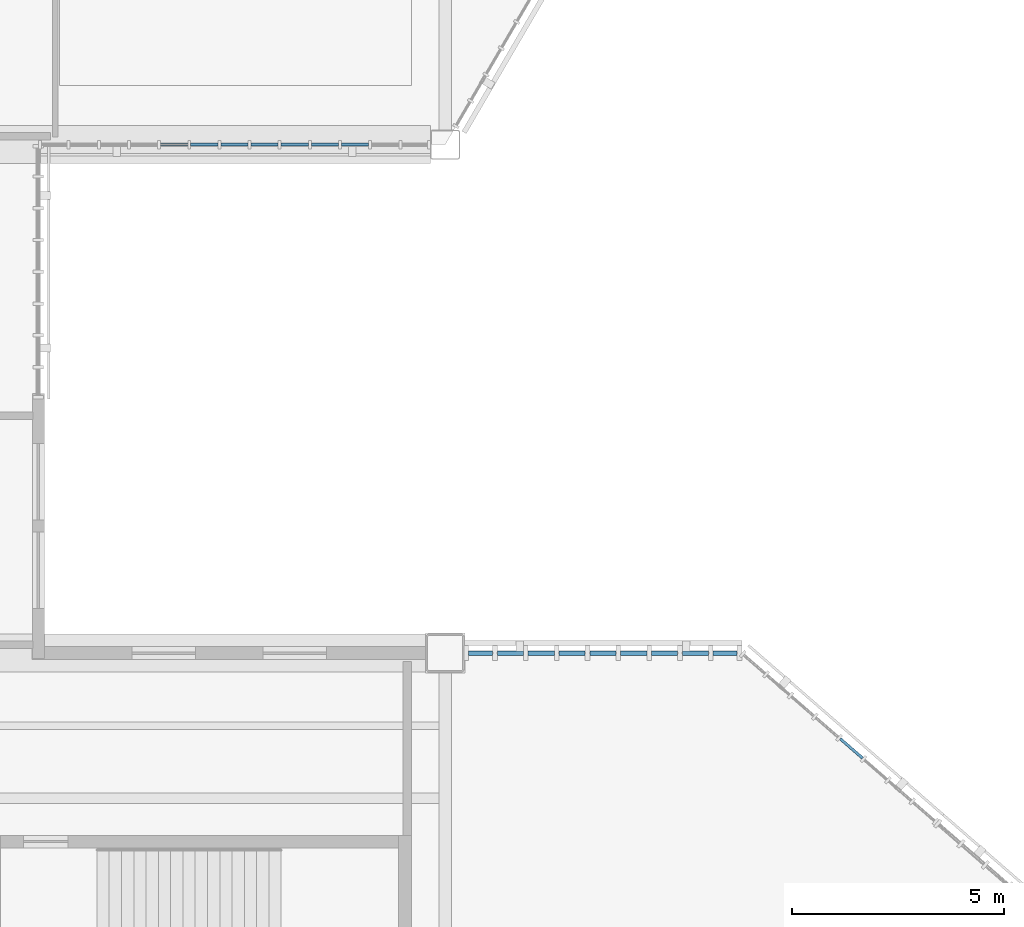
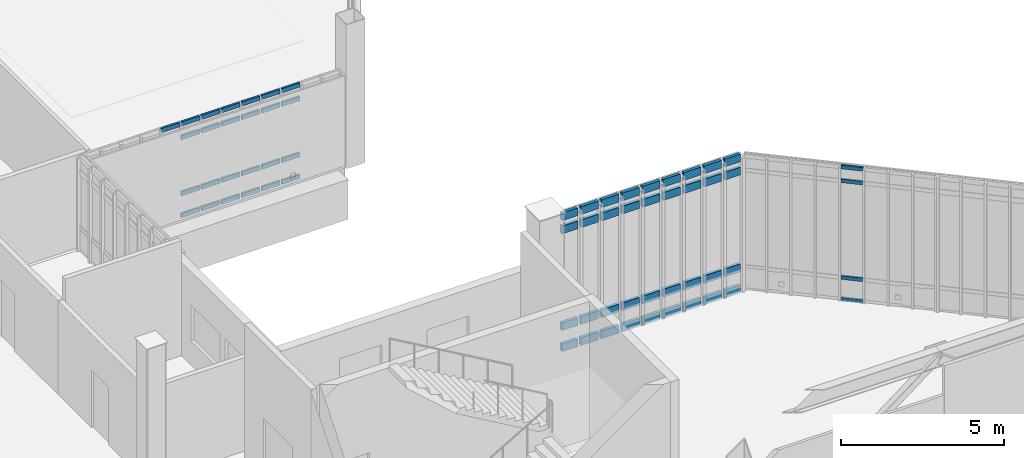
# One storey, part 66 of 135: 65 members, 3 elements without a shape of their own.
"""IFC4 building model written with IfcOpenShell, lengths in metres."""

import ifcopenshell
import ifcopenshell.guid

model = None  # the IFC model being written
_history = None  # IfcOwnerHistory: only IFC2X3 demands one
_inside = {}  # id of a spatial element -> (the spatial element, [elements in it])
_under = {}  # id of a project, library or spatial element -> (it, [spatial elements below it])
_declared = {}  # id of a project -> (the project, [libraries it declares])
_typed = {}  # id of a type object -> (the type object, [elements of that type])
_made_of = {}  # id of a material, layer set ... -> (it, [elements and type objects made of it])


def new_model(schema):
    """Start an empty IFC model of exactly this schema.

    Asked for "IFC4X3", IfcOpenShell would pick the latest addendum, in which some entities
    have other attributes; the version numbers below select the first issue.
    IFC2X3 requires an IfcOwnerHistory on every rooted entity: one is made here for all.
    """
    global model, _history
    if schema == "IFC4X3":
        model = ifcopenshell.file(schema_version=(4, 3, 0, 0))
    else:
        model = ifcopenshell.file(schema=schema)
    _inside.clear()
    _under.clear()
    _declared.clear()
    _typed.clear()
    _made_of.clear()
    _history = None
    if model.schema == "IFC2X3":
        org = make("IfcOrganization", Name="unknown")
        user = make(
            "IfcPersonAndOrganization",
            ThePerson=make("IfcPerson", FamilyName="unknown"),
            TheOrganization=org,
        )
        app = make(
            "IfcApplication",
            ApplicationDeveloper=org,
            Version="unknown",
            ApplicationFullName="unknown",
            ApplicationIdentifier="unknown",
        )
        _history = make(
            "IfcOwnerHistory",
            OwningUser=user,
            OwningApplication=app,
            ChangeAction="ADDED",
            CreationDate=0,
        )
    return model


def make(cls, **values):
    """One entity of the class cls with the attributes given. An attribute that is None is left unset."""
    return model.create_entity(
        cls, **{name: value for name, value in values.items() if value is not None}
    )


def rooted(cls, **values):
    """An entity with a GlobalId (a new one), such as an element, a storey or a relation."""
    return make(cls, GlobalId=ifcopenshell.guid.new(), OwnerHistory=_history, **values)


def si_unit(unit_type, name, prefix=None):
    """IfcSIUnit, for example si_unit("LENGTHUNIT", "METRE", prefix="MILLI")."""
    return make("IfcSIUnit", UnitType=unit_type, Prefix=prefix, Name=name)


def assignment(units):
    """IfcUnitAssignment: the units of a project."""
    return None if units is None else make("IfcUnitAssignment", Units=units)


def point(xyz):
    """IfcCartesianPoint."""
    return None if xyz is None else make("IfcCartesianPoint", Coordinates=xyz)


def direction(xyz):
    """IfcDirection."""
    return None if xyz is None else make("IfcDirection", DirectionRatios=xyz)


def frame(location, z_axis=None, x_axis=None):
    """IfcAxis2Placement3D, a coordinate frame: its origin and axes. An axis left out is left unset."""
    return make(
        "IfcAxis2Placement3D",
        Location=point(location),
        Axis=direction(z_axis),
        RefDirection=direction(x_axis),
    )


def frame_2d(location, x_axis=None):
    """IfcAxis2Placement2D, a coordinate frame in the plane: its origin and x axis."""
    return make(
        "IfcAxis2Placement2D", Location=point(location), RefDirection=direction(x_axis)
    )


def origin():
    """The frame at (0, 0, 0) with its axes left unset."""
    return frame((0.0, 0.0, 0.0))


def origin_2d():
    """The frame at (0, 0) in the plane with its x axis left unset."""
    return frame_2d((0.0, 0.0))


def place(relative_to, where):
    """IfcLocalPlacement: puts the frame where relative to a parent placement (None: the world)."""
    return make(
        "IfcLocalPlacement", PlacementRelTo=relative_to, RelativePlacement=where
    )


def context(
    kind, dimensions, precision=None, world=None, true_north=None, identifier=None
):
    """IfcGeometricRepresentationContext, for example the 3D "Model" context."""
    return make(
        "IfcGeometricRepresentationContext",
        ContextIdentifier=identifier,
        ContextType=kind,
        CoordinateSpaceDimension=dimensions,
        Precision=precision,
        WorldCoordinateSystem=world,
        TrueNorth=true_north,
    )


def subcontext(parent, identifier, kind, view, scale=None):
    """IfcGeometricRepresentationSubContext, for example "Body" below "Model"."""
    return make(
        "IfcGeometricRepresentationSubContext",
        ContextIdentifier=identifier,
        ContextType=kind,
        ParentContext=parent,
        TargetScale=scale,
        TargetView=view,
    )


def project(units=None, contexts=None):
    """IfcProject with its units and contexts."""
    return rooted(
        "IfcProject",
        Name="project",
        RepresentationContexts=contexts,
        UnitsInContext=assignment(units),
    )


def spatial(cls, under=None, at=None, **own):
    """A site, building, storey or space (cls), placed at a placement, below another one or the project."""
    s = rooted(cls, ObjectPlacement=at, **own)
    if under is not None:
        _under.setdefault(under.id(), (under, []))[1].append(s)
    return s


def profile(cls, at=None, kind="AREA", **sizes):
    """A parametric profile (cls). Its sizes go by their IFC names, for example OverallWidth=200.0."""
    return make(cls, ProfileType=kind, Position=at, **sizes)


def rectangle(**sizes):
    """IfcRectangleProfileDef."""
    return profile("IfcRectangleProfileDef", **sizes)


def extrude(swept, where, along, depth):
    """IfcExtrudedAreaSolid: the profile swept, set in the frame where, extruded along a direction by depth."""
    return make(
        "IfcExtrudedAreaSolid",
        SweptArea=swept,
        Position=where,
        ExtrudedDirection=direction(along),
        Depth=depth,
    )


def shape(context_of_items, identifier, shape_type, items):
    """IfcShapeRepresentation: the items that make up one representation, for example the "Body"."""
    return make(
        "IfcShapeRepresentation",
        ContextOfItems=context_of_items,
        RepresentationIdentifier=identifier,
        RepresentationType=shape_type,
        Items=items,
    )


def material(Name=None, Category=None):
    """IfcMaterial."""
    return make("IfcMaterial", Name=Name, Category=Category)


def material_profile(
    of_material, cross_section, Name=None, Category=None, Priority=None
):
    """IfcMaterialProfile: a cross section and its material."""
    return make(
        "IfcMaterialProfile",
        Name=Name,
        Material=of_material,
        Profile=cross_section,
        Priority=Priority,
        Category=Category,
    )


def profile_set(profiles, Name=None, composite=None):
    """IfcMaterialProfileSet."""
    return make(
        "IfcMaterialProfileSet",
        Name=Name,
        MaterialProfiles=profiles,
        CompositeProfile=composite,
    )


def made_of(thing, what):
    """Note that an element or type object is made of a material, layer set ...; save() writes the relation."""
    if what is not None:
        _made_of.setdefault(what.id(), (what, []))[1].append(thing)
    return thing


def type_object(cls, material=None, **own):
    """A type object (cls), such as IfcWallType, which elements share."""
    return made_of(rooted(cls, **own), material)


def element(
    cls,
    number,
    at=None,
    inside=None,
    cuts=None,
    type_object=None,
    material=None,
    context=None,
    identifier="Body",
    shape_type=None,
    held_by="IfcProductDefinitionShape",
    body=None,
    shapes=None,
    **own,
):
    """One element of the class cls, such as IfcWall. Its Tag is "e" and its number.

    at: its placement. inside: the storey or other place that contains it. cuts: it is an
    opening in that element (IfcRelVoidsElement). A single representation is given by context,
    identifier, shape_type and body (its items); several are given by shapes. held_by: the class
    of the entity that holds the representations. save() writes the other relations.
    """
    e = rooted(cls, Tag="e%d" % number, ObjectPlacement=at, **own)
    if body is not None:
        shapes = [shape(context, identifier, shape_type, body)]
    if shapes is not None:
        e.Representation = make(held_by, Representations=shapes)
    if inside is not None:
        _inside.setdefault(inside.id(), (inside, []))[1].append(e)
    if cuts is not None:
        rooted(
            "IfcRelVoidsElement", RelatingBuildingElement=cuts, RelatedOpeningElement=e
        )
    if type_object is not None:
        _typed.setdefault(type_object.id(), (type_object, []))[1].append(e)
    return made_of(e, material)


def aggregate(whole, parts):
    """IfcRelAggregates: a whole, such as a stair, and the parts it consists of."""
    return rooted("IfcRelAggregates", RelatingObject=whole, RelatedObjects=parts)


def save(model, path):
    """Write the relations noted so far, then the file.

    IfcRelAggregates (storeys below a building ...), IfcRelContainedInSpatialStructure (elements
    in a storey), IfcRelDefinesByType, IfcRelAssociatesMaterial and IfcRelDeclares: one each for
    every whole, place, type object, material and project.
    """
    for whole, parts in _under.values():
        aggregate(whole, parts)
    for where, things in _inside.values():
        rooted(
            "IfcRelContainedInSpatialStructure",
            RelatedElements=things,
            RelatingStructure=where,
        )
    for kind, things in _typed.values():
        rooted("IfcRelDefinesByType", RelatedObjects=things, RelatingType=kind)
    for what, things in _made_of.values():
        rooted("IfcRelAssociatesMaterial", RelatedObjects=things, RelatingMaterial=what)
    for by, libraries in _declared.values():
        rooted("IfcRelDeclares", RelatingContext=by, RelatedDefinitions=libraries)
    model.write(path)


model = new_model("IFC4")

# Units and contexts
model_context = context("Model", 3, precision=1e-05, world=origin(), true_north=direction((0.0, 1.0)))
body_context = subcontext(model_context, "Body", "Model", "MODEL_VIEW")
ifc_project = project(units=[si_unit("LENGTHUNIT", "METRE"), si_unit("AREAUNIT", "SQUARE_METRE"), si_unit("VOLUMEUNIT", "CUBIC_METRE"), si_unit("PLANEANGLEUNIT", "RADIAN"), si_unit("MASSUNIT", "GRAM", prefix="KILO")], contexts=[model_context])

# Site, building, storey
site_placement = place(None, origin())
site = spatial("IfcSite", under=ifc_project, at=site_placement, CompositionType="ELEMENT")
building_placement = place(site_placement, origin())
building = spatial("IfcBuilding", under=site, at=building_placement, Name="Larkvane Passage Sports Hall", CompositionType="ELEMENT")
storey_placement = place(building_placement, frame((0.0, 0.0, 16.800048828125)))
storey = spatial("IfcBuildingStorey", under=building, at=storey_placement, Name="L03", CompositionType="ELEMENT", Elevation=16.800048828125)

# Curtain wall, members
ifc_material_1 = material(Name="Thermally broken aluminium and low-E glazing", Category="aluminium")
curtain_wall_type_1 = type_object("IfcCurtainWallType", Name="CW-CLINIC", PredefinedType="USERDEFINED", material=ifc_material_1)
curtain_wall_1_placement = place(storey_placement, origin())
curtain_wall_1 = element("IfcCurtainWall", 1, at=curtain_wall_1_placement, inside=storey, type_object=curtain_wall_type_1, Name="Curtain wall CW5-L03-111", ObjectType="UNITISED CURTAIN WALL", PredefinedType="USERDEFINED")
ifc_material_2 = material(Name="Anodised aluminium 6063-T6", Category="aluminium")
ifc_material_profile_1 = material_profile(ifc_material_2, rectangle(XDim=0.110107421875, YDim=0.2900390625, at=origin_2d()), Name="ALU-TRN-110x290")
ifc_profile_set_1 = profile_set([ifc_material_profile_1], Name="Anodised aluminium 6063-T6")
member_type_1 = type_object("IfcMemberType", Name="CW-TRN-110x290", PredefinedType="USERDEFINED", material=ifc_profile_set_1)
member_1_placement = place(storey_placement, frame((146.156005859375, 51.60009765625, 0.054931640625), z_axis=(1.0, 0.0, 0.0), x_axis=(0.0, 1.0, 0.0)))
member_1 = element("IfcMember", 2, at=member_1_placement, type_object=member_type_1, Name="CW-05 transom 1.1", ObjectType="TRANSOM", PredefinedType="USERDEFINED", context=body_context, shape_type="SweptSolid", body=[
    extrude(rectangle(XDim=0.110107421875, YDim=0.2900390625, at=origin_2d()), origin(), (0.0, 0.0, 1.0), 0.563232421875),
])
member_2_placement = place(storey_placement, frame((146.156005859375, 51.60009765625, 0.849853515625), z_axis=(1.0, 0.0, 0.0), x_axis=(0.0, 1.0, 0.0)))
member_2 = element("IfcMember", 3, at=member_2_placement, type_object=member_type_1, Name="CW-05 transom 1.2", ObjectType="TRANSOM", PredefinedType="USERDEFINED", context=body_context, shape_type="SweptSolid", body=[
    extrude(rectangle(XDim=0.110107421875, YDim=0.2900390625, at=origin_2d()), origin(), (0.0, 0.0, 1.0), 0.563232421875),
])
member_3_placement = place(storey_placement, frame((146.156005859375, 51.60009765625, 4.47998046875), z_axis=(1.0, 0.0, 0.0), x_axis=(0.0, 1.0, 0.0)))
member_3 = element("IfcMember", 4, at=member_3_placement, type_object=member_type_1, Name="CW-05 transom 1.3", ObjectType="TRANSOM", PredefinedType="USERDEFINED", context=body_context, shape_type="SweptSolid", body=[
    extrude(rectangle(XDim=0.110107421875, YDim=0.2900390625, at=origin_2d()), origin(), (0.0, 0.0, 1.0), 0.563232421875),
])
member_4_placement = place(storey_placement, frame((146.156005859375, 51.60009765625, 4.974853515625), z_axis=(1.0, 0.0, 0.0), x_axis=(0.0, 1.0, 0.0)))
member_4 = element("IfcMember", 5, at=member_4_placement, type_object=member_type_1, Name="CW-05 transom 1.4", ObjectType="TRANSOM", PredefinedType="USERDEFINED", context=body_context, shape_type="SweptSolid", body=[
    extrude(rectangle(XDim=0.110107421875, YDim=0.2900390625, at=origin_2d()), origin(), (0.0, 0.0, 1.0), 0.563232421875),
])
member_5_placement = place(storey_placement, frame((146.8291015625, 51.60009765625, 0.054931640625), z_axis=(1.0, 0.0, 0.0), x_axis=(0.0, 1.0, 0.0)))
member_5 = element("IfcMember", 6, at=member_5_placement, type_object=member_type_1, Name="CW-05 transom 2.1", ObjectType="TRANSOM", PredefinedType="USERDEFINED", context=body_context, shape_type="SweptSolid", body=[
    extrude(rectangle(XDim=0.110107421875, YDim=0.2900390625, at=origin_2d()), origin(), (0.0, 0.0, 1.0), 0.618408203125),
])
member_6_placement = place(storey_placement, frame((146.8291015625, 51.60009765625, 0.849853515625), z_axis=(1.0, 0.0, 0.0), x_axis=(0.0, 1.0, 0.0)))
member_6 = element("IfcMember", 7, at=member_6_placement, type_object=member_type_1, Name="CW-05 transom 2.2", ObjectType="TRANSOM", PredefinedType="USERDEFINED", context=body_context, shape_type="SweptSolid", body=[
    extrude(rectangle(XDim=0.110107421875, YDim=0.2900390625, at=origin_2d()), origin(), (0.0, 0.0, 1.0), 0.618408203125),
])
member_7_placement = place(storey_placement, frame((146.8291015625, 51.60009765625, 4.47998046875), z_axis=(1.0, 0.0, 0.0), x_axis=(0.0, 1.0, 0.0)))
member_7 = element("IfcMember", 8, at=member_7_placement, type_object=member_type_1, Name="CW-05 transom 2.3", ObjectType="TRANSOM", PredefinedType="USERDEFINED", context=body_context, shape_type="SweptSolid", body=[
    extrude(rectangle(XDim=0.110107421875, YDim=0.2900390625, at=origin_2d()), origin(), (0.0, 0.0, 1.0), 0.618408203125),
])
member_8_placement = place(storey_placement, frame((146.8291015625, 51.60009765625, 4.974853515625), z_axis=(1.0, 0.0, 0.0), x_axis=(0.0, 1.0, 0.0)))
member_8 = element("IfcMember", 9, at=member_8_placement, type_object=member_type_1, Name="CW-05 transom 2.4", ObjectType="TRANSOM", PredefinedType="USERDEFINED", context=body_context, shape_type="SweptSolid", body=[
    extrude(rectangle(XDim=0.110107421875, YDim=0.2900390625, at=origin_2d()), origin(), (0.0, 0.0, 1.0), 0.618408203125),
])
member_9_placement = place(storey_placement, frame((147.557373046875, 51.60009765625, 0.054931640625), z_axis=(1.0, 0.0, 0.0), x_axis=(0.0, 1.0, 0.0)))
member_9 = element("IfcMember", 10, at=member_9_placement, type_object=member_type_1, Name="CW-05 transom 3.1", ObjectType="TRANSOM", PredefinedType="USERDEFINED", context=body_context, shape_type="SweptSolid", body=[
    extrude(rectangle(XDim=0.110107421875, YDim=0.2900390625, at=origin_2d()), origin(), (0.0, 0.0, 1.0), 0.618408203125),
])
member_10_placement = place(storey_placement, frame((147.557373046875, 51.60009765625, 0.849853515625), z_axis=(1.0, 0.0, 0.0), x_axis=(0.0, 1.0, 0.0)))
member_10 = element("IfcMember", 11, at=member_10_placement, type_object=member_type_1, Name="CW-05 transom 3.2", ObjectType="TRANSOM", PredefinedType="USERDEFINED", context=body_context, shape_type="SweptSolid", body=[
    extrude(rectangle(XDim=0.110107421875, YDim=0.2900390625, at=origin_2d()), origin(), (0.0, 0.0, 1.0), 0.618408203125),
])
member_11_placement = place(storey_placement, frame((147.557373046875, 51.60009765625, 4.47998046875), z_axis=(1.0, 0.0, 0.0), x_axis=(0.0, 1.0, 0.0)))
member_11 = element("IfcMember", 12, at=member_11_placement, type_object=member_type_1, Name="CW-05 transom 3.3", ObjectType="TRANSOM", PredefinedType="USERDEFINED", context=body_context, shape_type="SweptSolid", body=[
    extrude(rectangle(XDim=0.110107421875, YDim=0.2900390625, at=origin_2d()), origin(), (0.0, 0.0, 1.0), 0.618408203125),
])
member_12_placement = place(storey_placement, frame((147.557373046875, 51.60009765625, 4.974853515625), z_axis=(1.0, 0.0, 0.0), x_axis=(0.0, 1.0, 0.0)))
member_12 = element("IfcMember", 13, at=member_12_placement, type_object=member_type_1, Name="CW-05 transom 3.4", ObjectType="TRANSOM", PredefinedType="USERDEFINED", context=body_context, shape_type="SweptSolid", body=[
    extrude(rectangle(XDim=0.110107421875, YDim=0.2900390625, at=origin_2d()), origin(), (0.0, 0.0, 1.0), 0.618408203125),
])
member_13_placement = place(storey_placement, frame((148.28564453125, 51.60009765625, 0.054931640625), z_axis=(1.0, 0.0, 0.0), x_axis=(0.0, 1.0, 0.0)))
member_13 = element("IfcMember", 14, at=member_13_placement, type_object=member_type_1, Name="CW-05 transom 4.1", ObjectType="TRANSOM", PredefinedType="USERDEFINED", context=body_context, shape_type="SweptSolid", body=[
    extrude(rectangle(XDim=0.110107421875, YDim=0.2900390625, at=origin_2d()), origin(), (0.0, 0.0, 1.0), 0.6181640625),
])
member_14_placement = place(storey_placement, frame((148.28564453125, 51.60009765625, 0.849853515625), z_axis=(1.0, 0.0, 0.0), x_axis=(0.0, 1.0, 0.0)))
member_14 = element("IfcMember", 15, at=member_14_placement, type_object=member_type_1, Name="CW-05 transom 4.2", ObjectType="TRANSOM", PredefinedType="USERDEFINED", context=body_context, shape_type="SweptSolid", body=[
    extrude(rectangle(XDim=0.110107421875, YDim=0.2900390625, at=origin_2d()), origin(), (0.0, 0.0, 1.0), 0.6181640625),
])
member_15_placement = place(storey_placement, frame((148.28564453125, 51.60009765625, 4.47998046875), z_axis=(1.0, 0.0, 0.0), x_axis=(0.0, 1.0, 0.0)))
member_15 = element("IfcMember", 16, at=member_15_placement, type_object=member_type_1, Name="CW-05 transom 4.3", ObjectType="TRANSOM", PredefinedType="USERDEFINED", context=body_context, shape_type="SweptSolid", body=[
    extrude(rectangle(XDim=0.110107421875, YDim=0.2900390625, at=origin_2d()), origin(), (0.0, 0.0, 1.0), 0.6181640625),
])
member_16_placement = place(storey_placement, frame((148.28564453125, 51.60009765625, 4.974853515625), z_axis=(1.0, 0.0, 0.0), x_axis=(0.0, 1.0, 0.0)))
member_16 = element("IfcMember", 17, at=member_16_placement, type_object=member_type_1, Name="CW-05 transom 4.4", ObjectType="TRANSOM", PredefinedType="USERDEFINED", context=body_context, shape_type="SweptSolid", body=[
    extrude(rectangle(XDim=0.110107421875, YDim=0.2900390625, at=origin_2d()), origin(), (0.0, 0.0, 1.0), 0.6181640625),
])
member_17_placement = place(storey_placement, frame((149.013916015625, 51.60009765625, 0.054931640625), z_axis=(1.0, 0.0, 0.0), x_axis=(0.0, 1.0, 0.0)))
member_17 = element("IfcMember", 18, at=member_17_placement, type_object=member_type_1, Name="CW-05 transom 5.1", ObjectType="TRANSOM", PredefinedType="USERDEFINED", context=body_context, shape_type="SweptSolid", body=[
    extrude(rectangle(XDim=0.110107421875, YDim=0.2900390625, at=origin_2d()), origin(), (0.0, 0.0, 1.0), 0.6181640625),
])
member_18_placement = place(storey_placement, frame((149.013916015625, 51.60009765625, 0.849853515625), z_axis=(1.0, 0.0, 0.0), x_axis=(0.0, 1.0, 0.0)))
member_18 = element("IfcMember", 19, at=member_18_placement, type_object=member_type_1, Name="CW-05 transom 5.2", ObjectType="TRANSOM", PredefinedType="USERDEFINED", context=body_context, shape_type="SweptSolid", body=[
    extrude(rectangle(XDim=0.110107421875, YDim=0.2900390625, at=origin_2d()), origin(), (0.0, 0.0, 1.0), 0.6181640625),
])
member_19_placement = place(storey_placement, frame((149.013916015625, 51.60009765625, 4.47998046875), z_axis=(1.0, 0.0, 0.0), x_axis=(0.0, 1.0, 0.0)))
member_19 = element("IfcMember", 20, at=member_19_placement, type_object=member_type_1, Name="CW-05 transom 5.3", ObjectType="TRANSOM", PredefinedType="USERDEFINED", context=body_context, shape_type="SweptSolid", body=[
    extrude(rectangle(XDim=0.110107421875, YDim=0.2900390625, at=origin_2d()), origin(), (0.0, 0.0, 1.0), 0.6181640625),
])
member_20_placement = place(storey_placement, frame((149.013916015625, 51.60009765625, 4.974853515625), z_axis=(1.0, 0.0, 0.0), x_axis=(0.0, 1.0, 0.0)))
member_20 = element("IfcMember", 21, at=member_20_placement, type_object=member_type_1, Name="CW-05 transom 5.4", ObjectType="TRANSOM", PredefinedType="USERDEFINED", context=body_context, shape_type="SweptSolid", body=[
    extrude(rectangle(XDim=0.110107421875, YDim=0.2900390625, at=origin_2d()), origin(), (0.0, 0.0, 1.0), 0.6181640625),
])
member_21_placement = place(storey_placement, frame((149.7421875, 51.60009765625, 0.054931640625), z_axis=(1.0, 0.0, 0.0), x_axis=(0.0, 1.0, 0.0)))
member_21 = element("IfcMember", 22, at=member_21_placement, type_object=member_type_1, Name="CW-05 transom 6.1", ObjectType="TRANSOM", PredefinedType="USERDEFINED", context=body_context, shape_type="SweptSolid", body=[
    extrude(rectangle(XDim=0.110107421875, YDim=0.2900390625, at=origin_2d()), origin(), (0.0, 0.0, 1.0), 0.6181640625),
])
member_22_placement = place(storey_placement, frame((149.7421875, 51.60009765625, 0.849853515625), z_axis=(1.0, 0.0, 0.0), x_axis=(0.0, 1.0, 0.0)))
member_22 = element("IfcMember", 23, at=member_22_placement, type_object=member_type_1, Name="CW-05 transom 6.2", ObjectType="TRANSOM", PredefinedType="USERDEFINED", context=body_context, shape_type="SweptSolid", body=[
    extrude(rectangle(XDim=0.110107421875, YDim=0.2900390625, at=origin_2d()), origin(), (0.0, 0.0, 1.0), 0.6181640625),
])
member_23_placement = place(storey_placement, frame((149.7421875, 51.60009765625, 4.47998046875), z_axis=(1.0, 0.0, 0.0), x_axis=(0.0, 1.0, 0.0)))
member_23 = element("IfcMember", 24, at=member_23_placement, type_object=member_type_1, Name="CW-05 transom 6.3", ObjectType="TRANSOM", PredefinedType="USERDEFINED", context=body_context, shape_type="SweptSolid", body=[
    extrude(rectangle(XDim=0.110107421875, YDim=0.2900390625, at=origin_2d()), origin(), (0.0, 0.0, 1.0), 0.6181640625),
])
member_24_placement = place(storey_placement, frame((149.7421875, 51.60009765625, 4.974853515625), z_axis=(1.0, 0.0, 0.0), x_axis=(0.0, 1.0, 0.0)))
member_24 = element("IfcMember", 25, at=member_24_placement, type_object=member_type_1, Name="CW-05 transom 6.4", ObjectType="TRANSOM", PredefinedType="USERDEFINED", context=body_context, shape_type="SweptSolid", body=[
    extrude(rectangle(XDim=0.110107421875, YDim=0.2900390625, at=origin_2d()), origin(), (0.0, 0.0, 1.0), 0.6181640625),
])
member_25_placement = place(storey_placement, frame((150.47021484375, 51.60009765625, 0.054931640625), z_axis=(1.0, 0.0, 0.0), x_axis=(0.0, 1.0, 0.0)))
member_25 = element("IfcMember", 26, at=member_25_placement, type_object=member_type_1, Name="CW-05 transom 7.1", ObjectType="TRANSOM", PredefinedType="USERDEFINED", context=body_context, shape_type="SweptSolid", body=[
    extrude(rectangle(XDim=0.110107421875, YDim=0.2900390625, at=origin_2d()), origin(), (0.0, 0.0, 1.0), 0.618408203125),
])
member_26_placement = place(storey_placement, frame((150.47021484375, 51.60009765625, 0.849853515625), z_axis=(1.0, 0.0, 0.0), x_axis=(0.0, 1.0, 0.0)))
member_26 = element("IfcMember", 27, at=member_26_placement, type_object=member_type_1, Name="CW-05 transom 7.2", ObjectType="TRANSOM", PredefinedType="USERDEFINED", context=body_context, shape_type="SweptSolid", body=[
    extrude(rectangle(XDim=0.110107421875, YDim=0.2900390625, at=origin_2d()), origin(), (0.0, 0.0, 1.0), 0.618408203125),
])
member_27_placement = place(storey_placement, frame((150.47021484375, 51.60009765625, 4.47998046875), z_axis=(1.0, 0.0, 0.0), x_axis=(0.0, 1.0, 0.0)))
member_27 = element("IfcMember", 28, at=member_27_placement, type_object=member_type_1, Name="CW-05 transom 7.3", ObjectType="TRANSOM", PredefinedType="USERDEFINED", context=body_context, shape_type="SweptSolid", body=[
    extrude(rectangle(XDim=0.110107421875, YDim=0.2900390625, at=origin_2d()), origin(), (0.0, 0.0, 1.0), 0.618408203125),
])
member_28_placement = place(storey_placement, frame((150.47021484375, 51.60009765625, 4.974853515625), z_axis=(1.0, 0.0, 0.0), x_axis=(0.0, 1.0, 0.0)))
member_28 = element("IfcMember", 29, at=member_28_placement, type_object=member_type_1, Name="CW-05 transom 7.4", ObjectType="TRANSOM", PredefinedType="USERDEFINED", context=body_context, shape_type="SweptSolid", body=[
    extrude(rectangle(XDim=0.110107421875, YDim=0.2900390625, at=origin_2d()), origin(), (0.0, 0.0, 1.0), 0.618408203125),
])
member_29_placement = place(storey_placement, frame((151.198486328125, 51.60009765625, 0.054931640625), z_axis=(1.0, 0.0, 0.0), x_axis=(0.0, 1.0, 0.0)))
member_29 = element("IfcMember", 30, at=member_29_placement, type_object=member_type_1, Name="CW-05 transom 8.1", ObjectType="TRANSOM", PredefinedType="USERDEFINED", context=body_context, shape_type="SweptSolid", body=[
    extrude(rectangle(XDim=0.110107421875, YDim=0.2900390625, at=origin_2d()), origin(), (0.0, 0.0, 1.0), 0.618408203125),
])
member_30_placement = place(storey_placement, frame((151.198486328125, 51.60009765625, 0.849853515625), z_axis=(1.0, 0.0, 0.0), x_axis=(0.0, 1.0, 0.0)))
member_30 = element("IfcMember", 31, at=member_30_placement, type_object=member_type_1, Name="CW-05 transom 8.2", ObjectType="TRANSOM", PredefinedType="USERDEFINED", context=body_context, shape_type="SweptSolid", body=[
    extrude(rectangle(XDim=0.110107421875, YDim=0.2900390625, at=origin_2d()), origin(), (0.0, 0.0, 1.0), 0.618408203125),
])
member_31_placement = place(storey_placement, frame((151.198486328125, 51.60009765625, 4.47998046875), z_axis=(1.0, 0.0, 0.0), x_axis=(0.0, 1.0, 0.0)))
member_31 = element("IfcMember", 32, at=member_31_placement, type_object=member_type_1, Name="CW-05 transom 8.3", ObjectType="TRANSOM", PredefinedType="USERDEFINED", context=body_context, shape_type="SweptSolid", body=[
    extrude(rectangle(XDim=0.110107421875, YDim=0.2900390625, at=origin_2d()), origin(), (0.0, 0.0, 1.0), 0.618408203125),
])
member_32_placement = place(storey_placement, frame((151.198486328125, 51.60009765625, 4.974853515625), z_axis=(1.0, 0.0, 0.0), x_axis=(0.0, 1.0, 0.0)))
member_32 = element("IfcMember", 33, at=member_32_placement, type_object=member_type_1, Name="CW-05 transom 8.4", ObjectType="TRANSOM", PredefinedType="USERDEFINED", context=body_context, shape_type="SweptSolid", body=[
    extrude(rectangle(XDim=0.110107421875, YDim=0.2900390625, at=origin_2d()), origin(), (0.0, 0.0, 1.0), 0.618408203125),
])
member_33_placement = place(storey_placement, frame((151.9267578125, 51.60009765625, 0.054931640625), z_axis=(1.0, 0.0, 0.0), x_axis=(0.0, 1.0, 0.0)))
member_33 = element("IfcMember", 34, at=member_33_placement, type_object=member_type_1, Name="CW-05 transom 9.1", ObjectType="TRANSOM", PredefinedType="USERDEFINED", context=body_context, shape_type="SweptSolid", body=[
    extrude(rectangle(XDim=0.110107421875, YDim=0.2900390625, at=origin_2d()), origin(), (0.0, 0.0, 1.0), 0.563232421875),
])
member_34_placement = place(storey_placement, frame((151.9267578125, 51.60009765625, 0.849853515625), z_axis=(1.0, 0.0, 0.0), x_axis=(0.0, 1.0, 0.0)))
member_34 = element("IfcMember", 35, at=member_34_placement, type_object=member_type_1, Name="CW-05 transom 9.2", ObjectType="TRANSOM", PredefinedType="USERDEFINED", context=body_context, shape_type="SweptSolid", body=[
    extrude(rectangle(XDim=0.110107421875, YDim=0.2900390625, at=origin_2d()), origin(), (0.0, 0.0, 1.0), 0.563232421875),
])
member_35_placement = place(storey_placement, frame((151.9267578125, 51.60009765625, 4.47998046875), z_axis=(1.0, 0.0, 0.0), x_axis=(0.0, 1.0, 0.0)))
member_35 = element("IfcMember", 36, at=member_35_placement, type_object=member_type_1, Name="CW-05 transom 9.3", ObjectType="TRANSOM", PredefinedType="USERDEFINED", context=body_context, shape_type="SweptSolid", body=[
    extrude(rectangle(XDim=0.110107421875, YDim=0.2900390625, at=origin_2d()), origin(), (0.0, 0.0, 1.0), 0.563232421875),
])
member_36_placement = place(storey_placement, frame((151.9267578125, 51.60009765625, 4.974853515625), z_axis=(1.0, 0.0, 0.0), x_axis=(0.0, 1.0, 0.0)))
member_36 = element("IfcMember", 37, at=member_36_placement, type_object=member_type_1, Name="CW-05 transom 9.4", ObjectType="TRANSOM", PredefinedType="USERDEFINED", context=body_context, shape_type="SweptSolid", body=[
    extrude(rectangle(XDim=0.110107421875, YDim=0.2900390625, at=origin_2d()), origin(), (0.0, 0.0, 1.0), 0.563232421875),
])
aggregate(curtain_wall_1, [member_1, member_2, member_3, member_4, member_5, member_6, member_7, member_8, member_9, member_10, member_11, member_12, member_13, member_14, member_15, member_16, member_17, member_18, member_19, member_20, member_21, member_22, member_23, member_24, member_25, member_26, member_27, member_28, member_29, member_30, member_31, member_32, member_33, member_34, member_35, member_36])

curtain_wall_type_2 = type_object("IfcCurtainWallType", Name="CW-UNIT-COURT", PredefinedType="USERDEFINED", material=ifc_material_1)
curtain_wall_2_placement = place(storey_placement, origin())
curtain_wall_2 = element("IfcCurtainWall", 38, at=curtain_wall_2_placement, inside=storey, type_object=curtain_wall_type_2, Name="Curtain wall CW5-L03-112", ObjectType="UNITISED CURTAIN WALL", PredefinedType="USERDEFINED")
ifc_material_profile_2 = material_profile(ifc_material_2, rectangle(XDim=0.06494140625, YDim=0.139892578125, at=origin_2d()), Name="ALU-TRN-65x140")
ifc_profile_set_2 = profile_set([ifc_material_profile_2], Name="Anodised aluminium 6063-T6")
member_type_2 = type_object("IfcMemberType", Name="CW-TRN-65x140", PredefinedType="USERDEFINED", material=ifc_profile_set_2)
member_37_placement = place(storey_placement, frame((154.924560546875, 49.57861328125, 0.032470703125), z_axis=(0.754613064224, -0.656170041454, 0.0), x_axis=(0.656170041454, 0.754613064224, 0.0)))
member_37 = element("IfcMember", 39, at=member_37_placement, type_object=member_type_2, Name="CW-01 transom 5.1", ObjectType="TRANSOM", PredefinedType="USERDEFINED", context=body_context, shape_type="SweptSolid", body=[
    extrude(rectangle(XDim=0.06494140625, YDim=0.139892578125, at=origin_2d()), origin(), (0.0, 0.0, 1.0), 0.69677734375),
])
member_38_placement = place(storey_placement, frame((154.924560546875, 49.57861328125, 0.849853515625), z_axis=(0.754613064224, -0.656170041454, 0.0), x_axis=(0.656170041454, 0.754613064224, 0.0)))
member_38 = element("IfcMember", 40, at=member_38_placement, type_object=member_type_2, Name="CW-01 transom 5.2", ObjectType="TRANSOM", PredefinedType="USERDEFINED", context=body_context, shape_type="SweptSolid", body=[
    extrude(rectangle(XDim=0.06494140625, YDim=0.139892578125, at=origin_2d()), origin(), (0.0, 0.0, 1.0), 0.69677734375),
])
member_39_placement = place(storey_placement, frame((154.924560546875, 49.57861328125, 4.47998046875), z_axis=(0.754613064224, -0.656170041454, 0.0), x_axis=(0.656170041454, 0.754613064224, 0.0)))
member_39 = element("IfcMember", 41, at=member_39_placement, type_object=member_type_2, Name="CW-01 transom 5.3", ObjectType="TRANSOM", PredefinedType="USERDEFINED", context=body_context, shape_type="SweptSolid", body=[
    extrude(rectangle(XDim=0.06494140625, YDim=0.139892578125, at=origin_2d()), origin(), (0.0, 0.0, 1.0), 0.69677734375),
])
member_40_placement = place(storey_placement, frame((154.924560546875, 49.57861328125, 4.99755859375), z_axis=(0.754613064224, -0.656170041454, 0.0), x_axis=(0.656170041454, 0.754613064224, 0.0)))
member_40 = element("IfcMember", 42, at=member_40_placement, type_object=member_type_2, Name="CW-01 transom 5.4", ObjectType="TRANSOM", PredefinedType="USERDEFINED", context=body_context, shape_type="SweptSolid", body=[
    extrude(rectangle(XDim=0.06494140625, YDim=0.139892578125, at=origin_2d()), origin(), (0.0, 0.0, 1.0), 0.69677734375),
])
aggregate(curtain_wall_2, [member_37, member_38, member_39, member_40])

curtain_wall_type_3 = type_object("IfcCurtainWallType", Name="CW-UNIT-VEIL", PredefinedType="USERDEFINED", material=ifc_material_1)
curtain_wall_3_placement = place(storey_placement, origin())
curtain_wall_3 = element("IfcCurtainWall", 43, at=curtain_wall_3_placement, inside=storey, type_object=curtain_wall_type_3, Name="Curtain wall CW5-L03-109", ObjectType="UNITISED CURTAIN WALL", PredefinedType="USERDEFINED")
ifc_material_profile_3 = material_profile(ifc_material_2, rectangle(XDim=0.070068359375, YDim=0.159912109375, at=origin_2d()), Name="ALU-TRN-70x160")
ifc_profile_set_3 = profile_set([ifc_material_profile_3], Name="Anodised aluminium 6063-T6")
member_type_3 = type_object("IfcMemberType", Name="CW-TRN-70x160", PredefinedType="USERDEFINED", material=ifc_profile_set_3)
member_41_placement = place(storey_placement, frame((143.79541015625, 63.60009765625, 0.034912109375), z_axis=(-1.0, 0.0, 0.0), x_axis=(0.0, -1.0, 0.0)))
member_41 = element("IfcMember", 44, at=member_41_placement, type_object=member_type_3, Name="CW-02 transom 3.1", ObjectType="TRANSOM", PredefinedType="USERDEFINED", context=body_context, shape_type="SweptSolid", body=[
    extrude(rectangle(XDim=0.070068359375, YDim=0.159912109375, at=origin_2d()), origin(), (0.0, 0.0, 1.0), 0.641845703125),
])
member_42_placement = place(storey_placement, frame((143.79541015625, 63.60009765625, 0.849853515625), z_axis=(-1.0, 0.0, 0.0), x_axis=(0.0, -1.0, 0.0)))
member_42 = element("IfcMember", 45, at=member_42_placement, type_object=member_type_3, Name="CW-02 transom 3.2", ObjectType="TRANSOM", PredefinedType="USERDEFINED", context=body_context, shape_type="SweptSolid", body=[
    extrude(rectangle(XDim=0.070068359375, YDim=0.159912109375, at=origin_2d()), origin(), (0.0, 0.0, 1.0), 0.641845703125),
])
member_43_placement = place(storey_placement, frame((143.79541015625, 63.60009765625, 2.9580078125), z_axis=(-1.0, 0.0, 0.0), x_axis=(0.0, -1.0, 0.0)))
member_43 = element("IfcMember", 46, at=member_43_placement, type_object=member_type_3, Name="CW-02 transom 3.3", ObjectType="TRANSOM", PredefinedType="USERDEFINED", context=body_context, shape_type="SweptSolid", body=[
    extrude(rectangle(XDim=0.070068359375, YDim=0.159912109375, at=origin_2d()), origin(), (0.0, 0.0, 1.0), 0.641845703125),
])
member_44_placement = place(storey_placement, frame((143.79541015625, 63.60009765625, 3.472900390625), z_axis=(-1.0, 0.0, 0.0), x_axis=(0.0, -1.0, 0.0)))
member_44 = element("IfcMember", 47, at=member_44_placement, type_object=member_type_3, Name="CW-02 transom 3.4", ObjectType="TRANSOM", PredefinedType="USERDEFINED", context=body_context, shape_type="SweptSolid", body=[
    extrude(rectangle(XDim=0.070068359375, YDim=0.159912109375, at=origin_2d()), origin(), (0.0, 0.0, 1.0), 0.641845703125),
])
member_45_placement = place(storey_placement, frame((143.08349609375, 63.60009765625, 0.034912109375), z_axis=(-1.0, 0.0, 0.0), x_axis=(0.0, -1.0, 0.0)))
member_45 = element("IfcMember", 48, at=member_45_placement, type_object=member_type_3, Name="CW-02 transom 4.1", ObjectType="TRANSOM", PredefinedType="USERDEFINED", context=body_context, shape_type="SweptSolid", body=[
    extrude(rectangle(XDim=0.070068359375, YDim=0.159912109375, at=origin_2d()), origin(), (0.0, 0.0, 1.0), 0.641845703125),
])
member_46_placement = place(storey_placement, frame((143.08349609375, 63.60009765625, 0.849853515625), z_axis=(-1.0, 0.0, 0.0), x_axis=(0.0, -1.0, 0.0)))
member_46 = element("IfcMember", 49, at=member_46_placement, type_object=member_type_3, Name="CW-02 transom 4.2", ObjectType="TRANSOM", PredefinedType="USERDEFINED", context=body_context, shape_type="SweptSolid", body=[
    extrude(rectangle(XDim=0.070068359375, YDim=0.159912109375, at=origin_2d()), origin(), (0.0, 0.0, 1.0), 0.641845703125),
])
member_47_placement = place(storey_placement, frame((143.08349609375, 63.60009765625, 2.9580078125), z_axis=(-1.0, 0.0, 0.0), x_axis=(0.0, -1.0, 0.0)))
member_47 = element("IfcMember", 50, at=member_47_placement, type_object=member_type_3, Name="CW-02 transom 4.3", ObjectType="TRANSOM", PredefinedType="USERDEFINED", context=body_context, shape_type="SweptSolid", body=[
    extrude(rectangle(XDim=0.070068359375, YDim=0.159912109375, at=origin_2d()), origin(), (0.0, 0.0, 1.0), 0.641845703125),
])
member_48_placement = place(storey_placement, frame((143.08349609375, 63.60009765625, 3.472900390625), z_axis=(-1.0, 0.0, 0.0), x_axis=(0.0, -1.0, 0.0)))
member_48 = element("IfcMember", 51, at=member_48_placement, type_object=member_type_3, Name="CW-02 transom 4.4", ObjectType="TRANSOM", PredefinedType="USERDEFINED", context=body_context, shape_type="SweptSolid", body=[
    extrude(rectangle(XDim=0.070068359375, YDim=0.159912109375, at=origin_2d()), origin(), (0.0, 0.0, 1.0), 0.641845703125),
])
member_49_placement = place(storey_placement, frame((142.37158203125, 63.60009765625, 0.034912109375), z_axis=(-1.0, 0.0, 0.0), x_axis=(0.0, -1.0, 0.0)))
member_49 = element("IfcMember", 52, at=member_49_placement, type_object=member_type_3, Name="CW-02 transom 5.1", ObjectType="TRANSOM", PredefinedType="USERDEFINED", context=body_context, shape_type="SweptSolid", body=[
    extrude(rectangle(XDim=0.070068359375, YDim=0.159912109375, at=origin_2d()), origin(), (0.0, 0.0, 1.0), 0.641845703125),
])
member_50_placement = place(storey_placement, frame((142.37158203125, 63.60009765625, 0.849853515625), z_axis=(-1.0, 0.0, 0.0), x_axis=(0.0, -1.0, 0.0)))
member_50 = element("IfcMember", 53, at=member_50_placement, type_object=member_type_3, Name="CW-02 transom 5.2", ObjectType="TRANSOM", PredefinedType="USERDEFINED", context=body_context, shape_type="SweptSolid", body=[
    extrude(rectangle(XDim=0.070068359375, YDim=0.159912109375, at=origin_2d()), origin(), (0.0, 0.0, 1.0), 0.641845703125),
])
member_51_placement = place(storey_placement, frame((142.37158203125, 63.60009765625, 2.9580078125), z_axis=(-1.0, 0.0, 0.0), x_axis=(0.0, -1.0, 0.0)))
member_51 = element("IfcMember", 54, at=member_51_placement, type_object=member_type_3, Name="CW-02 transom 5.3", ObjectType="TRANSOM", PredefinedType="USERDEFINED", context=body_context, shape_type="SweptSolid", body=[
    extrude(rectangle(XDim=0.070068359375, YDim=0.159912109375, at=origin_2d()), origin(), (0.0, 0.0, 1.0), 0.641845703125),
])
member_52_placement = place(storey_placement, frame((142.37158203125, 63.60009765625, 3.472900390625), z_axis=(-1.0, 0.0, 0.0), x_axis=(0.0, -1.0, 0.0)))
member_52 = element("IfcMember", 55, at=member_52_placement, type_object=member_type_3, Name="CW-02 transom 5.4", ObjectType="TRANSOM", PredefinedType="USERDEFINED", context=body_context, shape_type="SweptSolid", body=[
    extrude(rectangle(XDim=0.070068359375, YDim=0.159912109375, at=origin_2d()), origin(), (0.0, 0.0, 1.0), 0.641845703125),
])
member_53_placement = place(storey_placement, frame((141.65966796875, 63.60009765625, 0.034912109375), z_axis=(-1.0, 0.0, 0.0), x_axis=(0.0, -1.0, 0.0)))
member_53 = element("IfcMember", 56, at=member_53_placement, type_object=member_type_3, Name="CW-02 transom 6.1", ObjectType="TRANSOM", PredefinedType="USERDEFINED", context=body_context, shape_type="SweptSolid", body=[
    extrude(rectangle(XDim=0.070068359375, YDim=0.159912109375, at=origin_2d()), origin(), (0.0, 0.0, 1.0), 0.641845703125),
])
member_54_placement = place(storey_placement, frame((141.65966796875, 63.60009765625, 0.849853515625), z_axis=(-1.0, 0.0, 0.0), x_axis=(0.0, -1.0, 0.0)))
member_54 = element("IfcMember", 57, at=member_54_placement, type_object=member_type_3, Name="CW-02 transom 6.2", ObjectType="TRANSOM", PredefinedType="USERDEFINED", context=body_context, shape_type="SweptSolid", body=[
    extrude(rectangle(XDim=0.070068359375, YDim=0.159912109375, at=origin_2d()), origin(), (0.0, 0.0, 1.0), 0.641845703125),
])
member_55_placement = place(storey_placement, frame((141.65966796875, 63.60009765625, 2.9580078125), z_axis=(-1.0, 0.0, 0.0), x_axis=(0.0, -1.0, 0.0)))
member_55 = element("IfcMember", 58, at=member_55_placement, type_object=member_type_3, Name="CW-02 transom 6.3", ObjectType="TRANSOM", PredefinedType="USERDEFINED", context=body_context, shape_type="SweptSolid", body=[
    extrude(rectangle(XDim=0.070068359375, YDim=0.159912109375, at=origin_2d()), origin(), (0.0, 0.0, 1.0), 0.641845703125),
])
member_56_placement = place(storey_placement, frame((141.65966796875, 63.60009765625, 3.472900390625), z_axis=(-1.0, 0.0, 0.0), x_axis=(0.0, -1.0, 0.0)))
member_56 = element("IfcMember", 59, at=member_56_placement, type_object=member_type_3, Name="CW-02 transom 6.4", ObjectType="TRANSOM", PredefinedType="USERDEFINED", context=body_context, shape_type="SweptSolid", body=[
    extrude(rectangle(XDim=0.070068359375, YDim=0.159912109375, at=origin_2d()), origin(), (0.0, 0.0, 1.0), 0.641845703125),
])
member_57_placement = place(storey_placement, frame((140.947998046875, 63.60009765625, 0.034912109375), z_axis=(-1.0, 0.0, 0.0), x_axis=(0.0, -1.0, 0.0)))
member_57 = element("IfcMember", 60, at=member_57_placement, type_object=member_type_3, Name="CW-02 transom 7.1", ObjectType="TRANSOM", PredefinedType="USERDEFINED", context=body_context, shape_type="SweptSolid", body=[
    extrude(rectangle(XDim=0.070068359375, YDim=0.159912109375, at=origin_2d()), origin(), (0.0, 0.0, 1.0), 0.641845703125),
])
member_58_placement = place(storey_placement, frame((140.947998046875, 63.60009765625, 0.849853515625), z_axis=(-1.0, 0.0, 0.0), x_axis=(0.0, -1.0, 0.0)))
member_58 = element("IfcMember", 61, at=member_58_placement, type_object=member_type_3, Name="CW-02 transom 7.2", ObjectType="TRANSOM", PredefinedType="USERDEFINED", context=body_context, shape_type="SweptSolid", body=[
    extrude(rectangle(XDim=0.070068359375, YDim=0.159912109375, at=origin_2d()), origin(), (0.0, 0.0, 1.0), 0.641845703125),
])
member_59_placement = place(storey_placement, frame((140.947998046875, 63.60009765625, 2.9580078125), z_axis=(-1.0, 0.0, 0.0), x_axis=(0.0, -1.0, 0.0)))
member_59 = element("IfcMember", 62, at=member_59_placement, type_object=member_type_3, Name="CW-02 transom 7.3", ObjectType="TRANSOM", PredefinedType="USERDEFINED", context=body_context, shape_type="SweptSolid", body=[
    extrude(rectangle(XDim=0.070068359375, YDim=0.159912109375, at=origin_2d()), origin(), (0.0, 0.0, 1.0), 0.641845703125),
])
member_60_placement = place(storey_placement, frame((140.947998046875, 63.60009765625, 3.472900390625), z_axis=(-1.0, 0.0, 0.0), x_axis=(0.0, -1.0, 0.0)))
member_60 = element("IfcMember", 63, at=member_60_placement, type_object=member_type_3, Name="CW-02 transom 7.4", ObjectType="TRANSOM", PredefinedType="USERDEFINED", context=body_context, shape_type="SweptSolid", body=[
    extrude(rectangle(XDim=0.070068359375, YDim=0.159912109375, at=origin_2d()), origin(), (0.0, 0.0, 1.0), 0.641845703125),
])
member_61_placement = place(storey_placement, frame((140.236083984375, 63.60009765625, 0.034912109375), z_axis=(-1.0, 0.0, 0.0), x_axis=(0.0, -1.0, 0.0)))
member_61 = element("IfcMember", 64, at=member_61_placement, type_object=member_type_3, Name="CW-02 transom 8.1", ObjectType="TRANSOM", PredefinedType="USERDEFINED", context=body_context, shape_type="SweptSolid", body=[
    extrude(rectangle(XDim=0.070068359375, YDim=0.159912109375, at=origin_2d()), origin(), (0.0, 0.0, 1.0), 0.641845703125),
])
member_62_placement = place(storey_placement, frame((140.236083984375, 63.60009765625, 0.849853515625), z_axis=(-1.0, 0.0, 0.0), x_axis=(0.0, -1.0, 0.0)))
member_62 = element("IfcMember", 65, at=member_62_placement, type_object=member_type_3, Name="CW-02 transom 8.2", ObjectType="TRANSOM", PredefinedType="USERDEFINED", context=body_context, shape_type="SweptSolid", body=[
    extrude(rectangle(XDim=0.070068359375, YDim=0.159912109375, at=origin_2d()), origin(), (0.0, 0.0, 1.0), 0.641845703125),
])
member_63_placement = place(storey_placement, frame((140.236083984375, 63.60009765625, 2.9580078125), z_axis=(-1.0, 0.0, 0.0), x_axis=(0.0, -1.0, 0.0)))
member_63 = element("IfcMember", 66, at=member_63_placement, type_object=member_type_3, Name="CW-02 transom 8.3", ObjectType="TRANSOM", PredefinedType="USERDEFINED", context=body_context, shape_type="SweptSolid", body=[
    extrude(rectangle(XDim=0.070068359375, YDim=0.159912109375, at=origin_2d()), origin(), (0.0, 0.0, 1.0), 0.641845703125),
])
member_64_placement = place(storey_placement, frame((140.236083984375, 63.60009765625, 3.472900390625), z_axis=(-1.0, 0.0, 0.0), x_axis=(0.0, -1.0, 0.0)))
member_64 = element("IfcMember", 67, at=member_64_placement, type_object=member_type_3, Name="CW-02 transom 8.4", ObjectType="TRANSOM", PredefinedType="USERDEFINED", context=body_context, shape_type="SweptSolid", body=[
    extrude(rectangle(XDim=0.070068359375, YDim=0.159912109375, at=origin_2d()), origin(), (0.0, 0.0, 1.0), 0.641845703125),
])
member_65_placement = place(storey_placement, frame((139.524169921875, 63.60009765625, 3.472900390625), z_axis=(-1.0, 0.0, 0.0), x_axis=(0.0, -1.0, 0.0)))
member_65 = element("IfcMember", 68, at=member_65_placement, type_object=member_type_3, Name="CW-02 transom 9.4", ObjectType="TRANSOM", PredefinedType="USERDEFINED", context=body_context, shape_type="SweptSolid", body=[
    extrude(rectangle(XDim=0.070068359375, YDim=0.159912109375, at=origin_2d()), origin(), (0.0, 0.0, 1.0), 0.641845703125),
])
aggregate(curtain_wall_3, [member_41, member_42, member_43, member_44, member_45, member_46, member_47, member_48, member_49, member_50, member_51, member_52, member_53, member_54, member_55, member_56, member_57, member_58, member_59, member_60, member_61, member_62, member_63, member_64, member_65])

save(model, "model.ifc")
